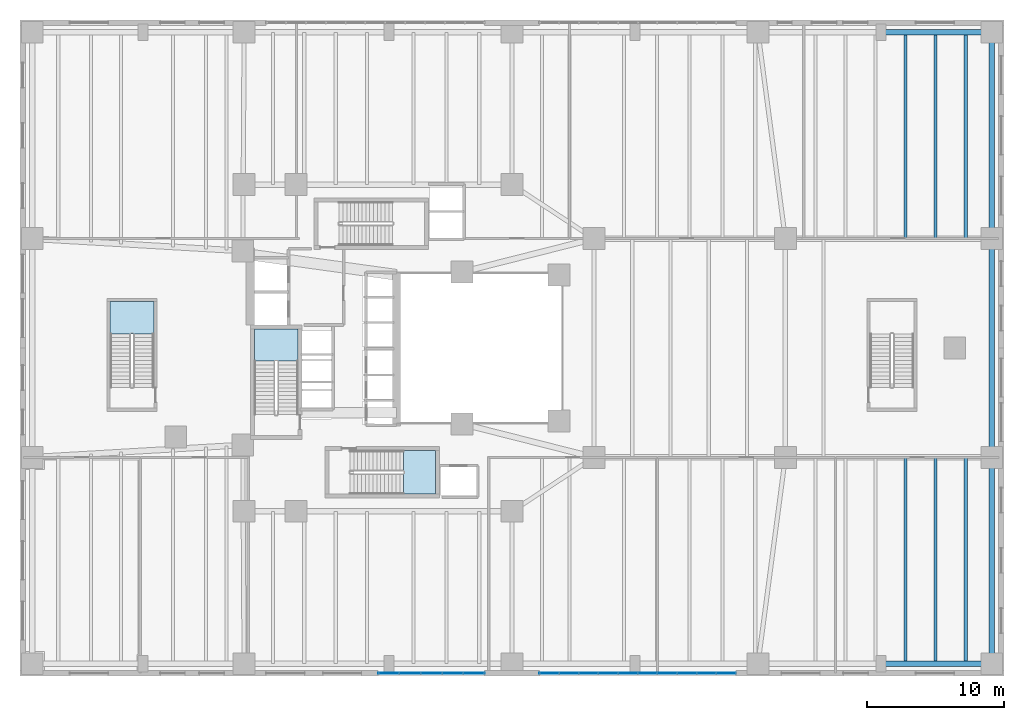
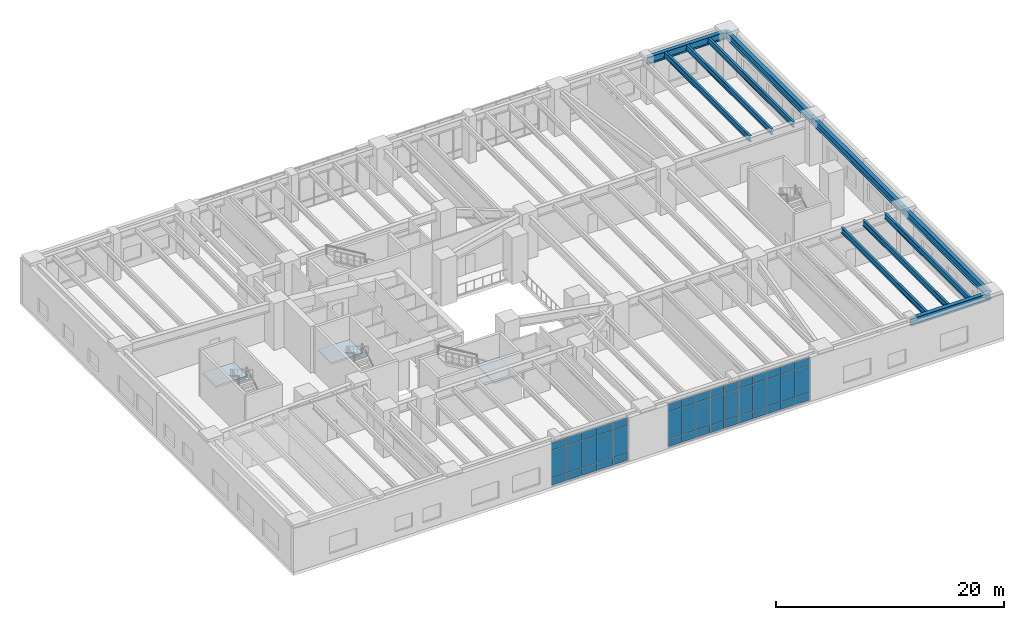
# One storey, part 19 of 26: 45 plates, 11 beams, 3 slabs, 5 elements without a shape of their own.
"""IFC4 building model written with IfcOpenShell, lengths in metres."""

from ifc_helpers import new_model, si_unit, direction, frame, origin, origin_2d, place, context, subcontext, project, spatial, polyline, rectangle, i_section, outline, extrude, material, layer, layer_set, material_profile, profile_set, type_object, element, aggregate, save


model = new_model("IFC4")

# Units and contexts
model_context = context("Model", 3, precision=1e-05, world=origin(), true_north=direction((0.0, 1.0)))
body_context = subcontext(model_context, "Body", "Model", "MODEL_VIEW")
ifc_project = project(units=[si_unit("LENGTHUNIT", "METRE"), si_unit("AREAUNIT", "SQUARE_METRE"), si_unit("VOLUMEUNIT", "CUBIC_METRE"), si_unit("PLANEANGLEUNIT", "RADIAN"), si_unit("MASSUNIT", "GRAM", prefix="KILO"), si_unit("THERMODYNAMICTEMPERATUREUNIT", "KELVIN"), si_unit("POWERUNIT", "WATT")], contexts=[model_context])

# Site, building, storey
site_placement = place(None, origin())
site = spatial("IfcSite", under=ifc_project, at=site_placement, CompositionType="ELEMENT")
building_placement = place(site_placement, origin())
building = spatial("IfcBuilding", under=site, at=building_placement, Name="Skarre Station Tower", CompositionType="ELEMENT")
storey_placement = place(building_placement, frame((0.0, 0.0, 6.0)))
storey = spatial("IfcBuildingStorey", under=building, at=storey_placement, Name="L02", CompositionType="ELEMENT", Elevation=6.0)

# Beams
ifc_material_1 = material(Name="Steel ASTM A992 Grade 50", Category="steel")
ifc_material_profile_1 = material_profile(ifc_material_1, i_section(OverallWidth=0.22802734375, OverallDepth=0.60791015625, WebThickness=0.010986328125, FlangeThickness=0.01708984375, at=origin_2d()), Name="Steel ASTM A992 Grade 50")
ifc_profile_set_1 = profile_set([ifc_material_profile_1], Name="Steel ASTM A992 Grade 50")
beam_type_1 = type_object("IfcBeamType", Name="Steel Joist W24X76", PredefinedType="JOIST", material=ifc_profile_set_1)
for number, where, z_axis, x_axis, name in (
    (1, (64.800048828125, 0.89990234375, 4.385986328125), (0.0, 1.0, 0.0), (-1.0, 0.0, 0.0), "L02 South Bay Joist 24"),
    (2, (64.800048828125, 32.0, 4.385986328125), (0.0, 1.0, 0.0), (-1.0, 0.0, 0.0), "L02 North Bay Joist 24"),
    (3, (67.0, 0.89990234375, 4.385986328125), (0.0, 1.0, 0.0), (-1.0, 0.0, 0.0), "L02 South Bay Joist 25"),
    (4, (67.0, 32.0, 4.385986328125), (0.0, 1.0, 0.0), (-1.0, 0.0, 0.0), "L02 North Bay Joist 25"),
    (5, (69.199951171875, 0.89990234375, 4.385986328125), (0.0, 1.0, 0.0), (-1.0, 0.0, 0.0), "L02 South Bay Joist 26"),
    (6, (69.199951171875, 32.0, 4.385986328125), (0.0, 1.0, 0.0), (-1.0, 0.0, 0.0), "L02 North Bay Joist 26"),
):
    element("IfcBeam", number, at=place(storey_placement, frame(where, z_axis=z_axis, x_axis=x_axis)), inside=storey, type_object=beam_type_1, Name=name, PredefinedType="JOIST", context=body_context, shape_type="SweptSolid", body=[
        extrude(i_section(OverallWidth=0.22802734375, OverallDepth=0.60791015625, WebThickness=0.010986328125, FlangeThickness=0.01708984375, at=origin_2d()), origin(), (0.0, 0.0, 1.0), 15.10009765625),
    ])
ifc_material_profile_2 = material_profile(ifc_material_1, i_section(OverallWidth=0.384033203125, OverallDepth=0.785888671875, WebThickness=0.02001953125, FlangeThickness=0.032958984375, at=origin_2d()), Name="Steel ASTM A992 Grade 50")
ifc_profile_set_2 = profile_set([ifc_material_profile_2], Name="Steel ASTM A992 Grade 50")
beam_type_2 = type_object("IfcBeamType", Name="Steel Spandrel W30X211", PredefinedType="SPANDREL", material=ifc_profile_set_2)
for number, where, z_axis, x_axis, name in (
    (7, (63.0, 0.89990234375, 4.297119140625), (1.0, 0.0, 0.0), (0.0, 1.0, 0.0), "L02 South Podium Spandrel 8"),
    (8, (63.0, 47.10009765625, 4.297119140625), (1.0, 0.0, 0.0), (0.0, 1.0, 0.0), "L02 North Podium Spandrel 8"),
):
    element("IfcBeam", number, at=place(storey_placement, frame(where, z_axis=z_axis, x_axis=x_axis)), inside=storey, type_object=beam_type_2, Name=name, PredefinedType="SPANDREL", context=body_context, shape_type="SweptSolid", body=[
        extrude(i_section(OverallWidth=0.384033203125, OverallDepth=0.785888671875, WebThickness=0.02001953125, FlangeThickness=0.032958984375, at=origin_2d()), origin(), (0.0, 0.0, 1.0), 8.10009765625),
    ])
beam_1_placement = place(storey_placement, frame((71.10009765625, 0.89990234375, 4.297119140625), z_axis=(0.0, 1.0, 0.0), x_axis=(-1.0, 0.0, 0.0)))
element("IfcBeam", 9, at=beam_1_placement, inside=storey, type_object=beam_type_2, Name="L02 East Podium Spandrel 1", PredefinedType="SPANDREL", context=body_context, shape_type="SweptSolid", body=[
    extrude(i_section(OverallWidth=0.384033203125, OverallDepth=0.785888671875, WebThickness=0.02001953125, FlangeThickness=0.032958984375, at=origin_2d()), origin(), (0.0, 0.0, 1.0), 15.10009765625),
])
beam_2_placement = place(storey_placement, frame((71.10009765625, 16.0, 4.297119140625), z_axis=(0.0, 1.0, 0.0), x_axis=(-1.0, 0.0, 0.0)))
element("IfcBeam", 10, at=beam_2_placement, inside=storey, type_object=beam_type_2, Name="L02 East Podium Spandrel 2", PredefinedType="SPANDREL", context=body_context, shape_type="SweptSolid", body=[
    extrude(i_section(OverallWidth=0.384033203125, OverallDepth=0.785888671875, WebThickness=0.02001953125, FlangeThickness=0.032958984375, at=origin_2d()), origin(), (0.0, 0.0, 1.0), 16.0),
])
beam_3_placement = place(storey_placement, frame((71.10009765625, 32.0, 4.297119140625), z_axis=(0.0, 1.0, 0.0), x_axis=(-1.0, 0.0, 0.0)))
element("IfcBeam", 11, at=beam_3_placement, inside=storey, type_object=beam_type_2, Name="L02 East Podium Spandrel 3", PredefinedType="SPANDREL", context=body_context, shape_type="SweptSolid", body=[
    extrude(i_section(OverallWidth=0.384033203125, OverallDepth=0.785888671875, WebThickness=0.02001953125, FlangeThickness=0.032958984375, at=origin_2d()), origin(), (0.0, 0.0, 1.0), 15.10009765625),
])

# Curtain wall, plates
ifc_material_2 = material(Name="Thermally Broken Bronze-Anodized Aluminium & Triple Low-E Glass", Category="aluminium")
ifc_layer_1 = layer(ifc_material_2, 0.199951171875, Name="Thermally Broken Bronze-Anodized Aluminium & Triple Low-E Glass")
ifc_layer_set_1 = layer_set([ifc_layer_1], Name="Thermally Broken Bronze-Anodized Aluminium & Triple Low-E Glass")
curtain_wall_type = type_object("IfcCurtainWallType", Name="Podium Transit Arcade Stick Curtain Wall", PredefinedType="NOTDEFINED", material=ifc_layer_set_1)
curtain_wall_1_placement = place(storey_placement, origin())
curtain_wall_1 = element("IfcCurtainWall", 12, at=curtain_wall_1_placement, inside=storey, type_object=curtain_wall_type, Name="L02 South Concourse Portal East Curtain Wall", PredefinedType="NOTDEFINED")
ifc_material_3 = material(Name="Insulated Bronze Anodized Aluminium Spandrel", Category="aluminium")
ifc_layer_2 = layer(ifc_material_3, 0.052001953125, Name="Insulated Bronze Anodized Aluminium Spandrel")
ifc_layer_set_2 = layer_set([ifc_layer_2], Name="Insulated Bronze Anodized Aluminium Spandrel")
plate_type_1 = type_object("IfcPlateType", Name="Bronze Insulated Spandrel Sheet Panel 52", PredefinedType="SHEET", material=ifc_layer_set_2)
plate_1_placement = place(storey_placement, frame((51.679931640625, 0.199951171875, 0.05224609375), z_axis=(0.0, 0.0, 1.0), x_axis=(-1.0, 0.0, 0.0)))
plate_1 = element("IfcPlate", 13, at=plate_1_placement, type_object=plate_type_1, Name="L02 South Concourse Portal East Curtain Wall Spandrel Panel 1-1", PredefinedType="SHEET", context=body_context, shape_type="SweptSolid", body=[
    extrude(rectangle(XDim=1.416015625, YDim=0.052001953125, at=origin_2d()), origin(), (0.0, 0.0, 1.0), 0.785888671875),
])
plate_2_placement = place(storey_placement, frame((50.239990234375, 0.199951171875, 0.05224609375), z_axis=(0.0, 0.0, 1.0), x_axis=(-1.0, 0.0, 0.0)))
plate_2 = element("IfcPlate", 14, at=plate_2_placement, type_object=plate_type_1, Name="L02 South Concourse Portal East Curtain Wall Spandrel Panel 2-1", PredefinedType="SHEET", context=body_context, shape_type="SweptSolid", body=[
    extrude(rectangle(XDim=1.416015625, YDim=0.052001953125, at=origin_2d()), origin(), (0.0, 0.0, 1.0), 0.785888671875),
])
plate_3_placement = place(storey_placement, frame((48.800048828125, 0.199951171875, 0.05224609375), z_axis=(0.0, 0.0, 1.0), x_axis=(-1.0, 0.0, 0.0)))
plate_3 = element("IfcPlate", 15, at=plate_3_placement, type_object=plate_type_1, Name="L02 South Concourse Portal East Curtain Wall Spandrel Panel 3-1", PredefinedType="SHEET", context=body_context, shape_type="SweptSolid", body=[
    extrude(rectangle(XDim=1.416015625, YDim=0.052001953125, at=origin_2d()), origin(), (0.0, 0.0, 1.0), 0.785888671875),
])
plate_4_placement = place(storey_placement, frame((47.360107421875, 0.199951171875, 0.05224609375), z_axis=(0.0, 0.0, 1.0), x_axis=(-1.0, 0.0, 0.0)))
plate_4 = element("IfcPlate", 16, at=plate_4_placement, type_object=plate_type_1, Name="L02 South Concourse Portal East Curtain Wall Spandrel Panel 4-1", PredefinedType="SHEET", context=body_context, shape_type="SweptSolid", body=[
    extrude(rectangle(XDim=1.416015625, YDim=0.052001953125, at=origin_2d()), origin(), (0.0, 0.0, 1.0), 0.785888671875),
])
plate_5_placement = place(storey_placement, frame((45.919921875, 0.199951171875, 0.05224609375), z_axis=(0.0, 0.0, 1.0), x_axis=(-1.0, 0.0, 0.0)))
plate_5 = element("IfcPlate", 17, at=plate_5_placement, type_object=plate_type_1, Name="L02 South Concourse Portal East Curtain Wall Spandrel Panel 5-1", PredefinedType="SHEET", context=body_context, shape_type="SweptSolid", body=[
    extrude(rectangle(XDim=1.416015625, YDim=0.052001953125, at=origin_2d()), origin(), (0.0, 0.0, 1.0), 0.785888671875),
])
plate_6_placement = place(storey_placement, frame((44.47998046875, 0.199951171875, 0.05224609375), z_axis=(0.0, 0.0, 1.0), x_axis=(-1.0, 0.0, 0.0)))
plate_6 = element("IfcPlate", 18, at=plate_6_placement, type_object=plate_type_1, Name="L02 South Concourse Portal East Curtain Wall Spandrel Panel 6-1", PredefinedType="SHEET", context=body_context, shape_type="SweptSolid", body=[
    extrude(rectangle(XDim=1.416015625, YDim=0.052001953125, at=origin_2d()), origin(), (0.0, 0.0, 1.0), 0.785888671875),
])
plate_7_placement = place(storey_placement, frame((43.0400390625, 0.199951171875, 0.05224609375), z_axis=(0.0, 0.0, 1.0), x_axis=(-1.0, 0.0, 0.0)))
plate_7 = element("IfcPlate", 19, at=plate_7_placement, type_object=plate_type_1, Name="L02 South Concourse Portal East Curtain Wall Spandrel Panel 7-1", PredefinedType="SHEET", context=body_context, shape_type="SweptSolid", body=[
    extrude(rectangle(XDim=1.416015625, YDim=0.052001953125, at=origin_2d()), origin(), (0.0, 0.0, 1.0), 0.785888671875),
])
plate_8_placement = place(storey_placement, frame((41.60009765625, 0.199951171875, 0.05224609375), z_axis=(0.0, 0.0, 1.0), x_axis=(-1.0, 0.0, 0.0)))
plate_8 = element("IfcPlate", 20, at=plate_8_placement, type_object=plate_type_1, Name="L02 South Concourse Portal East Curtain Wall Spandrel Panel 8-1", PredefinedType="SHEET", context=body_context, shape_type="SweptSolid", body=[
    extrude(rectangle(XDim=1.416015625, YDim=0.052001953125, at=origin_2d()), origin(), (0.0, 0.0, 1.0), 0.785888671875),
])
plate_9_placement = place(storey_placement, frame((40.159912109375, 0.199951171875, 0.05224609375), z_axis=(0.0, 0.0, 1.0), x_axis=(-1.0, 0.0, 0.0)))
plate_9 = element("IfcPlate", 21, at=plate_9_placement, type_object=plate_type_1, Name="L02 South Concourse Portal East Curtain Wall Spandrel Panel 9-1", PredefinedType="SHEET", context=body_context, shape_type="SweptSolid", body=[
    extrude(rectangle(XDim=1.416015625, YDim=0.052001953125, at=origin_2d()), origin(), (0.0, 0.0, 1.0), 0.785888671875),
])
plate_10_placement = place(storey_placement, frame((38.719970703125, 0.199951171875, 0.05224609375), z_axis=(0.0, 0.0, 1.0), x_axis=(-1.0, 0.0, 0.0)))
plate_10 = element("IfcPlate", 22, at=plate_10_placement, type_object=plate_type_1, Name="L02 South Concourse Portal East Curtain Wall Spandrel Panel 10-1", PredefinedType="SHEET", context=body_context, shape_type="SweptSolid", body=[
    extrude(rectangle(XDim=1.416015625, YDim=0.052001953125, at=origin_2d()), origin(), (0.0, 0.0, 1.0), 0.785888671875),
])

curtain_wall_2_placement = place(storey_placement, origin())
curtain_wall_2 = element("IfcCurtainWall", 23, at=curtain_wall_2_placement, inside=storey, type_object=curtain_wall_type, Name="L02 South Concourse Portal West Curtain Wall", PredefinedType="NOTDEFINED")
plate_11_placement = place(storey_placement, frame((33.219970703125, 0.199951171875, 0.05224609375), z_axis=(0.0, 0.0, 1.0), x_axis=(-1.0, 0.0, 0.0)))
plate_11 = element("IfcPlate", 24, at=plate_11_placement, type_object=plate_type_1, Name="L02 South Concourse Portal West Curtain Wall Spandrel Panel 1-1", PredefinedType="SHEET", context=body_context, shape_type="SweptSolid", body=[
    extrude(rectangle(XDim=1.535888671875, YDim=0.052001953125, at=origin_2d()), origin(), (0.0, 0.0, 1.0), 0.785888671875),
])
plate_12_placement = place(storey_placement, frame((31.659912109375, 0.199951171875, 0.05224609375), z_axis=(0.0, 0.0, 1.0), x_axis=(-1.0, 0.0, 0.0)))
plate_12 = element("IfcPlate", 25, at=plate_12_placement, type_object=plate_type_1, Name="L02 South Concourse Portal West Curtain Wall Spandrel Panel 2-1", PredefinedType="SHEET", context=body_context, shape_type="SweptSolid", body=[
    extrude(rectangle(XDim=1.535888671875, YDim=0.052001953125, at=origin_2d()), origin(), (0.0, 0.0, 1.0), 0.785888671875),
])
plate_13_placement = place(storey_placement, frame((30.10009765625, 0.199951171875, 0.05224609375), z_axis=(0.0, 0.0, 1.0), x_axis=(-1.0, 0.0, 0.0)))
plate_13 = element("IfcPlate", 26, at=plate_13_placement, type_object=plate_type_1, Name="L02 South Concourse Portal West Curtain Wall Spandrel Panel 3-1", PredefinedType="SHEET", context=body_context, shape_type="SweptSolid", body=[
    extrude(rectangle(XDim=1.535888671875, YDim=0.052001953125, at=origin_2d()), origin(), (0.0, 0.0, 1.0), 0.785888671875),
])
plate_14_placement = place(storey_placement, frame((28.5400390625, 0.199951171875, 0.05224609375), z_axis=(0.0, 0.0, 1.0), x_axis=(-1.0, 0.0, 0.0)))
plate_14 = element("IfcPlate", 27, at=plate_14_placement, type_object=plate_type_1, Name="L02 South Concourse Portal West Curtain Wall Spandrel Panel 4-1", PredefinedType="SHEET", context=body_context, shape_type="SweptSolid", body=[
    extrude(rectangle(XDim=1.535888671875, YDim=0.052001953125, at=origin_2d()), origin(), (0.0, 0.0, 1.0), 0.785888671875),
])
plate_15_placement = place(storey_placement, frame((26.97998046875, 0.199951171875, 0.05224609375), z_axis=(0.0, 0.0, 1.0), x_axis=(-1.0, 0.0, 0.0)))
plate_15 = element("IfcPlate", 28, at=plate_15_placement, type_object=plate_type_1, Name="L02 South Concourse Portal West Curtain Wall Spandrel Panel 5-1", PredefinedType="SHEET", context=body_context, shape_type="SweptSolid", body=[
    extrude(rectangle(XDim=1.535888671875, YDim=0.052001953125, at=origin_2d()), origin(), (0.0, 0.0, 1.0), 0.785888671875),
])

# Stair, slab
ifc_material_4 = material(Name="Concrete C40/50", Category="concrete")
stair_type_1 = type_object("IfcStairType", Name="Reinforced Concrete Exit Stair ST-1", PredefinedType="HALF_TURN_STAIR", material=ifc_material_4)
stair_1_placement = place(storey_placement, origin())
stair_1 = element("IfcStair", 29, at=stair_1_placement, inside=storey, type_object=stair_type_1, Name="L02 Core Exit Stair ST-1", PredefinedType="HALF_TURN_STAIR")
ifc_layer_3 = layer(ifc_material_4, 0.219970703125, Name="Concrete C40/50")
ifc_layer_set_3 = layer_set([ifc_layer_3], Name="Concrete C40/50")
slab_type = type_object("IfcSlabType", Name="Reinforced Concrete Stair & Ramp Landing 220", PredefinedType="LANDING", material=ifc_layer_set_3)
slab_1_placement = place(storey_placement, frame((0.0, 0.0, 2.300048828125)))
slab_1 = element("IfcSlab", 30, at=slab_1_placement, type_object=slab_type, Name="ST-1 landing 1", PredefinedType="LANDING", context=body_context, shape_type="SweptSolid", body=[
    extrude(outline(polyline([(20.35009765625, 23.0400390625), (20.35009765625, 25.39990234375), (17.14990234375, 25.39990234375), (17.14990234375, 23.0400390625), (20.35009765625, 23.0400390625)])), origin(), (0.0, 0.0, 1.0), 0.199951171875),
])
aggregate(stair_1, [slab_1])

stair_type_2 = type_object("IfcStairType", Name="Reinforced Concrete Exit Stair ST-2", PredefinedType="HALF_TURN_STAIR", material=ifc_material_4)
stair_2_placement = place(storey_placement, origin())
stair_2 = element("IfcStair", 31, at=stair_2_placement, inside=storey, type_object=stair_type_2, Name="L02 Core Exit Stair ST-2", PredefinedType="HALF_TURN_STAIR")
slab_2_placement = place(storey_placement, frame((0.0, 0.0, 2.300048828125)))
slab_2 = element("IfcSlab", 32, at=slab_2_placement, type_object=slab_type, Name="ST-2 landing 1", PredefinedType="LANDING", context=body_context, shape_type="SweptSolid", body=[
    extrude(outline(polyline([(28.070068359375, 13.300048828125), (30.39990234375, 13.300048828125), (30.39990234375, 16.5), (28.070068359375, 16.5), (28.070068359375, 13.300048828125)])), origin(), (0.0, 0.0, 1.0), 0.199951171875),
])
aggregate(stair_2, [slab_2])

stair_type_3 = type_object("IfcStairType", Name="Reinforced Concrete Exit Stair ST-4", PredefinedType="HALF_TURN_STAIR", material=ifc_material_4)
stair_3_placement = place(storey_placement, origin())
stair_3 = element("IfcStair", 33, at=stair_3_placement, inside=storey, type_object=stair_type_3, Name="L02 Podium Concourse Exit Stair ST-4", PredefinedType="HALF_TURN_STAIR")
slab_3_placement = place(storey_placement, frame((0.0, 0.0, 2.300048828125)))
slab_3 = element("IfcSlab", 34, at=slab_3_placement, type_object=slab_type, Name="ST-4 landing 1", PredefinedType="LANDING", context=body_context, shape_type="SweptSolid", body=[
    extrude(outline(polyline([(9.800048828125, 25.0400390625), (9.800048828125, 27.39990234375), (6.60009765625, 27.39990234375), (6.60009765625, 25.0400390625), (9.800048828125, 25.0400390625)])), origin(), (0.0, 0.0, 1.0), 0.199951171875),
])
aggregate(stair_3, [slab_3])

# Plate
ifc_material_5 = material(Name="Low-Iron Triple Insulating Glass Unit", Category="glass")
ifc_layer_4 = layer(ifc_material_5, 0.0439453125, Name="Low-Iron Triple Insulating Glass Unit")
ifc_layer_set_4 = layer_set([ifc_layer_4], Name="Low-Iron Triple Insulating Glass Unit")
plate_type_2 = type_object("IfcPlateType", Name="Triple-Glazed Vision Curtain Panel 44", PredefinedType="CURTAIN_PANEL", material=ifc_layer_set_4)
plate_16_placement = place(storey_placement, frame((51.679931640625, 0.199951171875, 0.862060546875), z_axis=(0.0, 0.0, 1.0), x_axis=(-1.0, 0.0, 0.0)))
plate_16 = element("IfcPlate", 35, at=plate_16_placement, type_object=plate_type_2, Name="L02 South Concourse Portal East Curtain Wall Vision Panel 1-2", PredefinedType="CURTAIN_PANEL", context=body_context, shape_type="SweptSolid", body=[
    extrude(rectangle(XDim=1.416015625, YDim=0.0439453125, at=origin_2d()), origin(), (0.0, 0.0, 1.0), 2.916015625),
])

plate_17_placement = place(storey_placement, frame((51.679931640625, 0.199951171875, 3.802001953125), z_axis=(0.0, 0.0, 1.0), x_axis=(-1.0, 0.0, 0.0)))
plate_17 = element("IfcPlate", 36, at=plate_17_placement, type_object=plate_type_2, Name="L02 South Concourse Portal East Curtain Wall Vision Panel 1-3", PredefinedType="CURTAIN_PANEL", context=body_context, shape_type="SweptSolid", body=[
    extrude(rectangle(XDim=1.416015625, YDim=0.0439453125, at=origin_2d()), origin(), (0.0, 0.0, 1.0), 0.8359375),
])

plate_18_placement = place(storey_placement, frame((50.239990234375, 0.199951171875, 0.862060546875), z_axis=(0.0, 0.0, 1.0), x_axis=(-1.0, 0.0, 0.0)))
plate_18 = element("IfcPlate", 37, at=plate_18_placement, type_object=plate_type_2, Name="L02 South Concourse Portal East Curtain Wall Vision Panel 2-2", PredefinedType="CURTAIN_PANEL", context=body_context, shape_type="SweptSolid", body=[
    extrude(rectangle(XDim=1.416015625, YDim=0.0439453125, at=origin_2d()), origin(), (0.0, 0.0, 1.0), 2.916015625),
])

plate_19_placement = place(storey_placement, frame((50.239990234375, 0.199951171875, 3.802001953125), z_axis=(0.0, 0.0, 1.0), x_axis=(-1.0, 0.0, 0.0)))
plate_19 = element("IfcPlate", 38, at=plate_19_placement, type_object=plate_type_2, Name="L02 South Concourse Portal East Curtain Wall Vision Panel 2-3", PredefinedType="CURTAIN_PANEL", context=body_context, shape_type="SweptSolid", body=[
    extrude(rectangle(XDim=1.416015625, YDim=0.0439453125, at=origin_2d()), origin(), (0.0, 0.0, 1.0), 0.8359375),
])

plate_20_placement = place(storey_placement, frame((48.800048828125, 0.199951171875, 0.862060546875), z_axis=(0.0, 0.0, 1.0), x_axis=(-1.0, 0.0, 0.0)))
plate_20 = element("IfcPlate", 39, at=plate_20_placement, type_object=plate_type_2, Name="L02 South Concourse Portal East Curtain Wall Vision Panel 3-2", PredefinedType="CURTAIN_PANEL", context=body_context, shape_type="SweptSolid", body=[
    extrude(rectangle(XDim=1.416015625, YDim=0.0439453125, at=origin_2d()), origin(), (0.0, 0.0, 1.0), 2.916015625),
])

plate_21_placement = place(storey_placement, frame((48.800048828125, 0.199951171875, 3.802001953125), z_axis=(0.0, 0.0, 1.0), x_axis=(-1.0, 0.0, 0.0)))
plate_21 = element("IfcPlate", 40, at=plate_21_placement, type_object=plate_type_2, Name="L02 South Concourse Portal East Curtain Wall Vision Panel 3-3", PredefinedType="CURTAIN_PANEL", context=body_context, shape_type="SweptSolid", body=[
    extrude(rectangle(XDim=1.416015625, YDim=0.0439453125, at=origin_2d()), origin(), (0.0, 0.0, 1.0), 0.8359375),
])

plate_22_placement = place(storey_placement, frame((47.360107421875, 0.199951171875, 0.862060546875), z_axis=(0.0, 0.0, 1.0), x_axis=(-1.0, 0.0, 0.0)))
plate_22 = element("IfcPlate", 41, at=plate_22_placement, type_object=plate_type_2, Name="L02 South Concourse Portal East Curtain Wall Vision Panel 4-2", PredefinedType="CURTAIN_PANEL", context=body_context, shape_type="SweptSolid", body=[
    extrude(rectangle(XDim=1.416015625, YDim=0.0439453125, at=origin_2d()), origin(), (0.0, 0.0, 1.0), 2.916015625),
])

plate_23_placement = place(storey_placement, frame((47.360107421875, 0.199951171875, 3.802001953125), z_axis=(0.0, 0.0, 1.0), x_axis=(-1.0, 0.0, 0.0)))
plate_23 = element("IfcPlate", 42, at=plate_23_placement, type_object=plate_type_2, Name="L02 South Concourse Portal East Curtain Wall Vision Panel 4-3", PredefinedType="CURTAIN_PANEL", context=body_context, shape_type="SweptSolid", body=[
    extrude(rectangle(XDim=1.416015625, YDim=0.0439453125, at=origin_2d()), origin(), (0.0, 0.0, 1.0), 0.8359375),
])

plate_24_placement = place(storey_placement, frame((45.919921875, 0.199951171875, 0.862060546875), z_axis=(0.0, 0.0, 1.0), x_axis=(-1.0, 0.0, 0.0)))
plate_24 = element("IfcPlate", 43, at=plate_24_placement, type_object=plate_type_2, Name="L02 South Concourse Portal East Curtain Wall Vision Panel 5-2", PredefinedType="CURTAIN_PANEL", context=body_context, shape_type="SweptSolid", body=[
    extrude(rectangle(XDim=1.416015625, YDim=0.0439453125, at=origin_2d()), origin(), (0.0, 0.0, 1.0), 2.916015625),
])

plate_25_placement = place(storey_placement, frame((45.919921875, 0.199951171875, 3.802001953125), z_axis=(0.0, 0.0, 1.0), x_axis=(-1.0, 0.0, 0.0)))
plate_25 = element("IfcPlate", 44, at=plate_25_placement, type_object=plate_type_2, Name="L02 South Concourse Portal East Curtain Wall Vision Panel 5-3", PredefinedType="CURTAIN_PANEL", context=body_context, shape_type="SweptSolid", body=[
    extrude(rectangle(XDim=1.416015625, YDim=0.0439453125, at=origin_2d()), origin(), (0.0, 0.0, 1.0), 0.8359375),
])

plate_26_placement = place(storey_placement, frame((44.47998046875, 0.199951171875, 0.862060546875), z_axis=(0.0, 0.0, 1.0), x_axis=(-1.0, 0.0, 0.0)))
plate_26 = element("IfcPlate", 45, at=plate_26_placement, type_object=plate_type_2, Name="L02 South Concourse Portal East Curtain Wall Vision Panel 6-2", PredefinedType="CURTAIN_PANEL", context=body_context, shape_type="SweptSolid", body=[
    extrude(rectangle(XDim=1.416015625, YDim=0.0439453125, at=origin_2d()), origin(), (0.0, 0.0, 1.0), 2.916015625),
])

plate_27_placement = place(storey_placement, frame((44.47998046875, 0.199951171875, 3.802001953125), z_axis=(0.0, 0.0, 1.0), x_axis=(-1.0, 0.0, 0.0)))
plate_27 = element("IfcPlate", 46, at=plate_27_placement, type_object=plate_type_2, Name="L02 South Concourse Portal East Curtain Wall Vision Panel 6-3", PredefinedType="CURTAIN_PANEL", context=body_context, shape_type="SweptSolid", body=[
    extrude(rectangle(XDim=1.416015625, YDim=0.0439453125, at=origin_2d()), origin(), (0.0, 0.0, 1.0), 0.8359375),
])

plate_28_placement = place(storey_placement, frame((43.0400390625, 0.199951171875, 0.862060546875), z_axis=(0.0, 0.0, 1.0), x_axis=(-1.0, 0.0, 0.0)))
plate_28 = element("IfcPlate", 47, at=plate_28_placement, type_object=plate_type_2, Name="L02 South Concourse Portal East Curtain Wall Vision Panel 7-2", PredefinedType="CURTAIN_PANEL", context=body_context, shape_type="SweptSolid", body=[
    extrude(rectangle(XDim=1.416015625, YDim=0.0439453125, at=origin_2d()), origin(), (0.0, 0.0, 1.0), 2.916015625),
])

plate_29_placement = place(storey_placement, frame((43.0400390625, 0.199951171875, 3.802001953125), z_axis=(0.0, 0.0, 1.0), x_axis=(-1.0, 0.0, 0.0)))
plate_29 = element("IfcPlate", 48, at=plate_29_placement, type_object=plate_type_2, Name="L02 South Concourse Portal East Curtain Wall Vision Panel 7-3", PredefinedType="CURTAIN_PANEL", context=body_context, shape_type="SweptSolid", body=[
    extrude(rectangle(XDim=1.416015625, YDim=0.0439453125, at=origin_2d()), origin(), (0.0, 0.0, 1.0), 0.8359375),
])

plate_30_placement = place(storey_placement, frame((41.60009765625, 0.199951171875, 0.862060546875), z_axis=(0.0, 0.0, 1.0), x_axis=(-1.0, 0.0, 0.0)))
plate_30 = element("IfcPlate", 49, at=plate_30_placement, type_object=plate_type_2, Name="L02 South Concourse Portal East Curtain Wall Vision Panel 8-2", PredefinedType="CURTAIN_PANEL", context=body_context, shape_type="SweptSolid", body=[
    extrude(rectangle(XDim=1.416015625, YDim=0.0439453125, at=origin_2d()), origin(), (0.0, 0.0, 1.0), 2.916015625),
])

plate_31_placement = place(storey_placement, frame((41.60009765625, 0.199951171875, 3.802001953125), z_axis=(0.0, 0.0, 1.0), x_axis=(-1.0, 0.0, 0.0)))
plate_31 = element("IfcPlate", 50, at=plate_31_placement, type_object=plate_type_2, Name="L02 South Concourse Portal East Curtain Wall Vision Panel 8-3", PredefinedType="CURTAIN_PANEL", context=body_context, shape_type="SweptSolid", body=[
    extrude(rectangle(XDim=1.416015625, YDim=0.0439453125, at=origin_2d()), origin(), (0.0, 0.0, 1.0), 0.8359375),
])

plate_32_placement = place(storey_placement, frame((40.159912109375, 0.199951171875, 0.862060546875), z_axis=(0.0, 0.0, 1.0), x_axis=(-1.0, 0.0, 0.0)))
plate_32 = element("IfcPlate", 51, at=plate_32_placement, type_object=plate_type_2, Name="L02 South Concourse Portal East Curtain Wall Vision Panel 9-2", PredefinedType="CURTAIN_PANEL", context=body_context, shape_type="SweptSolid", body=[
    extrude(rectangle(XDim=1.416015625, YDim=0.0439453125, at=origin_2d()), origin(), (0.0, 0.0, 1.0), 2.916015625),
])

plate_33_placement = place(storey_placement, frame((40.159912109375, 0.199951171875, 3.802001953125), z_axis=(0.0, 0.0, 1.0), x_axis=(-1.0, 0.0, 0.0)))
plate_33 = element("IfcPlate", 52, at=plate_33_placement, type_object=plate_type_2, Name="L02 South Concourse Portal East Curtain Wall Vision Panel 9-3", PredefinedType="CURTAIN_PANEL", context=body_context, shape_type="SweptSolid", body=[
    extrude(rectangle(XDim=1.416015625, YDim=0.0439453125, at=origin_2d()), origin(), (0.0, 0.0, 1.0), 0.8359375),
])

plate_34_placement = place(storey_placement, frame((38.719970703125, 0.199951171875, 0.862060546875), z_axis=(0.0, 0.0, 1.0), x_axis=(-1.0, 0.0, 0.0)))
plate_34 = element("IfcPlate", 53, at=plate_34_placement, type_object=plate_type_2, Name="L02 South Concourse Portal East Curtain Wall Vision Panel 10-2", PredefinedType="CURTAIN_PANEL", context=body_context, shape_type="SweptSolid", body=[
    extrude(rectangle(XDim=1.416015625, YDim=0.0439453125, at=origin_2d()), origin(), (0.0, 0.0, 1.0), 2.916015625),
])

plate_35_placement = place(storey_placement, frame((38.719970703125, 0.199951171875, 3.802001953125), z_axis=(0.0, 0.0, 1.0), x_axis=(-1.0, 0.0, 0.0)))
plate_35 = element("IfcPlate", 54, at=plate_35_placement, type_object=plate_type_2, Name="L02 South Concourse Portal East Curtain Wall Vision Panel 10-3", PredefinedType="CURTAIN_PANEL", context=body_context, shape_type="SweptSolid", body=[
    extrude(rectangle(XDim=1.416015625, YDim=0.0439453125, at=origin_2d()), origin(), (0.0, 0.0, 1.0), 0.8359375),
])

aggregate(curtain_wall_1, [plate_1, plate_16, plate_17, plate_2, plate_18, plate_19, plate_3, plate_20, plate_21, plate_4, plate_22, plate_23, plate_5, plate_24, plate_25, plate_6, plate_26, plate_27, plate_7, plate_28, plate_29, plate_8, plate_30, plate_31, plate_9, plate_32, plate_33, plate_10, plate_34, plate_35])

plate_36_placement = place(storey_placement, frame((33.219970703125, 0.199951171875, 0.862060546875), z_axis=(0.0, 0.0, 1.0), x_axis=(-1.0, 0.0, 0.0)))
plate_36 = element("IfcPlate", 55, at=plate_36_placement, type_object=plate_type_2, Name="L02 South Concourse Portal West Curtain Wall Vision Panel 1-2", PredefinedType="CURTAIN_PANEL", context=body_context, shape_type="SweptSolid", body=[
    extrude(rectangle(XDim=1.535888671875, YDim=0.0439453125, at=origin_2d()), origin(), (0.0, 0.0, 1.0), 2.916015625),
])

plate_37_placement = place(storey_placement, frame((33.219970703125, 0.199951171875, 3.802001953125), z_axis=(0.0, 0.0, 1.0), x_axis=(-1.0, 0.0, 0.0)))
plate_37 = element("IfcPlate", 56, at=plate_37_placement, type_object=plate_type_2, Name="L02 South Concourse Portal West Curtain Wall Vision Panel 1-3", PredefinedType="CURTAIN_PANEL", context=body_context, shape_type="SweptSolid", body=[
    extrude(rectangle(XDim=1.535888671875, YDim=0.0439453125, at=origin_2d()), origin(), (0.0, 0.0, 1.0), 0.8359375),
])

plate_38_placement = place(storey_placement, frame((31.659912109375, 0.199951171875, 0.862060546875), z_axis=(0.0, 0.0, 1.0), x_axis=(-1.0, 0.0, 0.0)))
plate_38 = element("IfcPlate", 57, at=plate_38_placement, type_object=plate_type_2, Name="L02 South Concourse Portal West Curtain Wall Vision Panel 2-2", PredefinedType="CURTAIN_PANEL", context=body_context, shape_type="SweptSolid", body=[
    extrude(rectangle(XDim=1.535888671875, YDim=0.0439453125, at=origin_2d()), origin(), (0.0, 0.0, 1.0), 2.916015625),
])

plate_39_placement = place(storey_placement, frame((31.659912109375, 0.199951171875, 3.802001953125), z_axis=(0.0, 0.0, 1.0), x_axis=(-1.0, 0.0, 0.0)))
plate_39 = element("IfcPlate", 58, at=plate_39_placement, type_object=plate_type_2, Name="L02 South Concourse Portal West Curtain Wall Vision Panel 2-3", PredefinedType="CURTAIN_PANEL", context=body_context, shape_type="SweptSolid", body=[
    extrude(rectangle(XDim=1.535888671875, YDim=0.0439453125, at=origin_2d()), origin(), (0.0, 0.0, 1.0), 0.8359375),
])

plate_40_placement = place(storey_placement, frame((30.10009765625, 0.199951171875, 0.862060546875), z_axis=(0.0, 0.0, 1.0), x_axis=(-1.0, 0.0, 0.0)))
plate_40 = element("IfcPlate", 59, at=plate_40_placement, type_object=plate_type_2, Name="L02 South Concourse Portal West Curtain Wall Vision Panel 3-2", PredefinedType="CURTAIN_PANEL", context=body_context, shape_type="SweptSolid", body=[
    extrude(rectangle(XDim=1.535888671875, YDim=0.0439453125, at=origin_2d()), origin(), (0.0, 0.0, 1.0), 2.916015625),
])

plate_41_placement = place(storey_placement, frame((30.10009765625, 0.199951171875, 3.802001953125), z_axis=(0.0, 0.0, 1.0), x_axis=(-1.0, 0.0, 0.0)))
plate_41 = element("IfcPlate", 60, at=plate_41_placement, type_object=plate_type_2, Name="L02 South Concourse Portal West Curtain Wall Vision Panel 3-3", PredefinedType="CURTAIN_PANEL", context=body_context, shape_type="SweptSolid", body=[
    extrude(rectangle(XDim=1.535888671875, YDim=0.0439453125, at=origin_2d()), origin(), (0.0, 0.0, 1.0), 0.8359375),
])

plate_42_placement = place(storey_placement, frame((28.5400390625, 0.199951171875, 0.862060546875), z_axis=(0.0, 0.0, 1.0), x_axis=(-1.0, 0.0, 0.0)))
plate_42 = element("IfcPlate", 61, at=plate_42_placement, type_object=plate_type_2, Name="L02 South Concourse Portal West Curtain Wall Vision Panel 4-2", PredefinedType="CURTAIN_PANEL", context=body_context, shape_type="SweptSolid", body=[
    extrude(rectangle(XDim=1.535888671875, YDim=0.0439453125, at=origin_2d()), origin(), (0.0, 0.0, 1.0), 2.916015625),
])

plate_43_placement = place(storey_placement, frame((28.5400390625, 0.199951171875, 3.802001953125), z_axis=(0.0, 0.0, 1.0), x_axis=(-1.0, 0.0, 0.0)))
plate_43 = element("IfcPlate", 62, at=plate_43_placement, type_object=plate_type_2, Name="L02 South Concourse Portal West Curtain Wall Vision Panel 4-3", PredefinedType="CURTAIN_PANEL", context=body_context, shape_type="SweptSolid", body=[
    extrude(rectangle(XDim=1.535888671875, YDim=0.0439453125, at=origin_2d()), origin(), (0.0, 0.0, 1.0), 0.8359375),
])

plate_44_placement = place(storey_placement, frame((26.97998046875, 0.199951171875, 0.862060546875), z_axis=(0.0, 0.0, 1.0), x_axis=(-1.0, 0.0, 0.0)))
plate_44 = element("IfcPlate", 63, at=plate_44_placement, type_object=plate_type_2, Name="L02 South Concourse Portal West Curtain Wall Vision Panel 5-2", PredefinedType="CURTAIN_PANEL", context=body_context, shape_type="SweptSolid", body=[
    extrude(rectangle(XDim=1.535888671875, YDim=0.0439453125, at=origin_2d()), origin(), (0.0, 0.0, 1.0), 2.916015625),
])

plate_45_placement = place(storey_placement, frame((26.97998046875, 0.199951171875, 3.802001953125), z_axis=(0.0, 0.0, 1.0), x_axis=(-1.0, 0.0, 0.0)))
plate_45 = element("IfcPlate", 64, at=plate_45_placement, type_object=plate_type_2, Name="L02 South Concourse Portal West Curtain Wall Vision Panel 5-3", PredefinedType="CURTAIN_PANEL", context=body_context, shape_type="SweptSolid", body=[
    extrude(rectangle(XDim=1.535888671875, YDim=0.0439453125, at=origin_2d()), origin(), (0.0, 0.0, 1.0), 0.8359375),
])

aggregate(curtain_wall_2, [plate_11, plate_36, plate_37, plate_12, plate_38, plate_39, plate_13, plate_40, plate_41, plate_14, plate_42, plate_43, plate_15, plate_44, plate_45])

save(model, "model.ifc")
